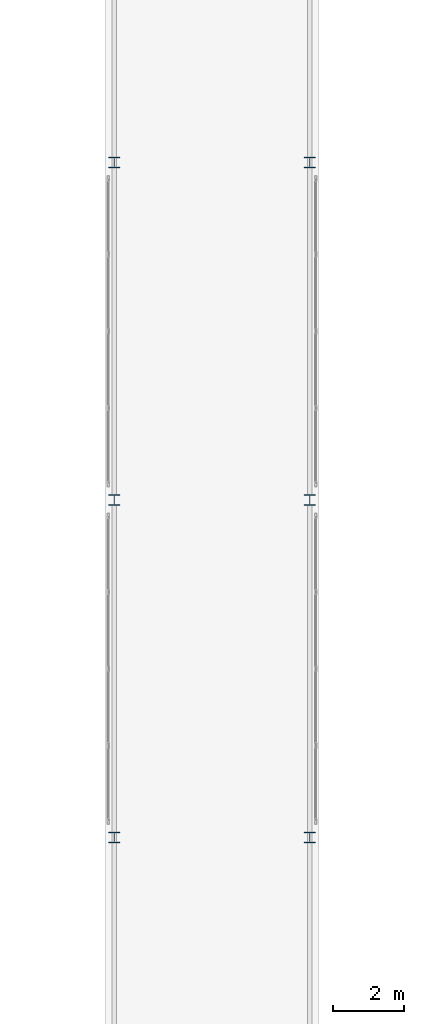
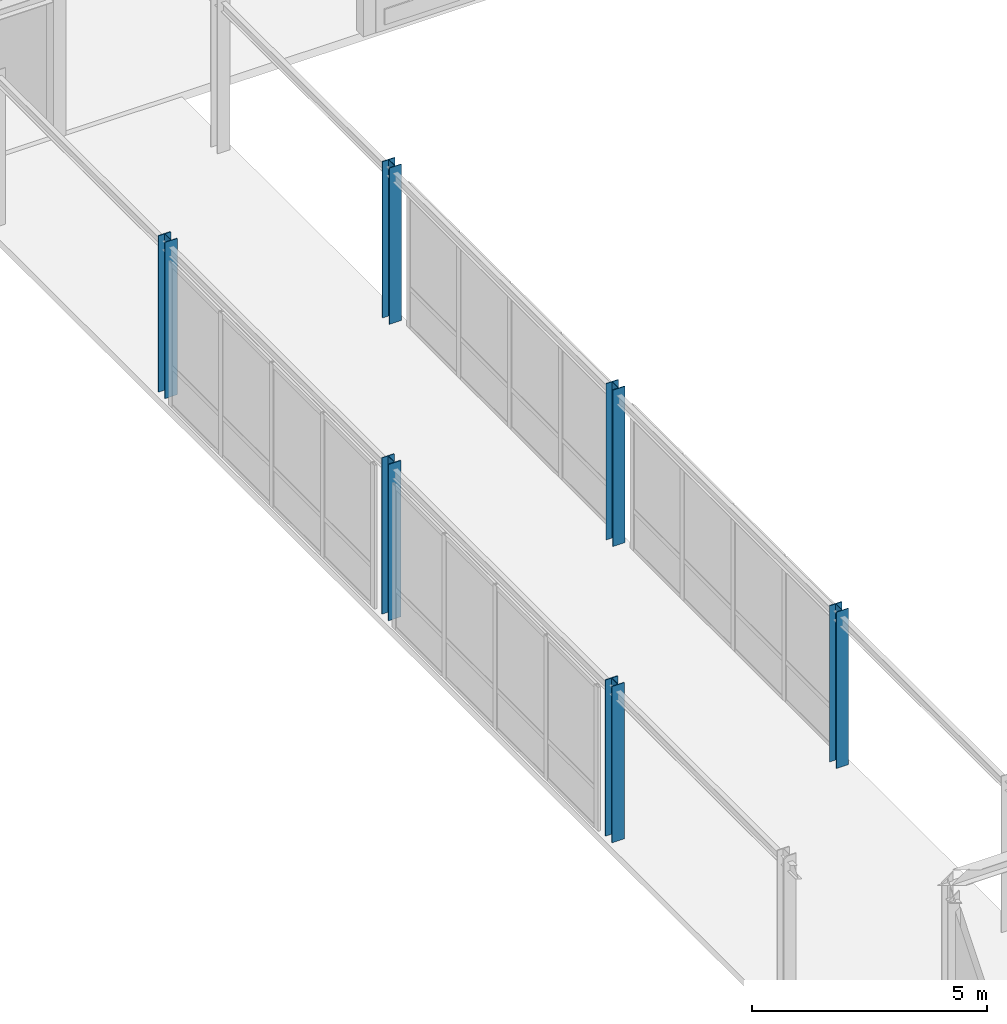
# One storey, part 4 of 165: 6 columns.
"""IFC4 building model written with IfcOpenShell, lengths in metres."""

from ifc_helpers import new_model, si_unit, direction, frame, origin, origin_2d, place, context, subcontext, project, spatial, i_section, extrude, material, material_profile, profile_set, type_object, element, save


model = new_model("IFC4")

# Units and contexts
model_context = context("Model", 3, precision=1e-05, world=origin(), true_north=direction((0.0, 1.0)))
body_context = subcontext(model_context, "Body", "Model", "MODEL_VIEW")
ifc_project = project(units=[si_unit("LENGTHUNIT", "METRE"), si_unit("AREAUNIT", "SQUARE_METRE"), si_unit("VOLUMEUNIT", "CUBIC_METRE"), si_unit("PLANEANGLEUNIT", "RADIAN"), si_unit("MASSUNIT", "GRAM", prefix="KILO")], contexts=[model_context])

# Site, building, storey
site_placement = place(None, origin())
site = spatial("IfcSite", under=ifc_project, at=site_placement, CompositionType="ELEMENT")
building_placement = place(site_placement, origin())
building = spatial("IfcBuilding", under=site, at=building_placement, Name="Montecoro Central Library", CompositionType="ELEMENT")
storey_placement = place(building_placement, frame((0.0, 0.0, 5.10009765625)))
storey = spatial("IfcBuildingStorey", under=building, at=storey_placement, Name="L01", CompositionType="ELEMENT", Elevation=5.10009765625)

# Columns
ifc_material = material(Name="Steel S355", Category="steel")
ifc_material_profile = material_profile(ifc_material, i_section(OverallWidth=0.300048828125, OverallDepth=0.300048828125, WebThickness=0.010986328125, FlangeThickness=0.01904296875, at=origin_2d()), Name="HEB 300")
ifc_profile_set = profile_set([ifc_material_profile], Name="Steel S355")
column_type = type_object("IfcColumnType", Name="COL-HEB300", PredefinedType="COLUMN", material=ifc_profile_set)
for number, where, z_axis, x_axis, name in (
    (1, (25.050048828125, 44.89990234375, 0.0), (0.0, 0.0, 1.0), (1.0, 0.0, 0.0), "BR-W-L01-COL-250-449"),
    (2, (30.550048828125, 44.89990234375, 0.0), (0.0, 0.0, 1.0), (1.0, 0.0, 0.0), "BR-W-L01-COL-305-449"),
    (3, (25.050048828125, 54.39990234375, 0.0), (0.0, 0.0, 1.0), (1.0, 0.0, 0.0), "BR-W-L01-COL-250-544"),
    (4, (30.550048828125, 54.39990234375, 0.0), (0.0, 0.0, 1.0), (1.0, 0.0, 0.0), "BR-W-L01-COL-305-544"),
    (5, (25.050048828125, 63.89990234375, 0.0), (0.0, 0.0, 1.0), (1.0, 0.0, 0.0), "BR-W-L01-COL-250-639"),
    (6, (30.550048828125, 63.89990234375, 0.0), (0.0, 0.0, 1.0), (1.0, 0.0, 0.0), "BR-W-L01-COL-305-639"),
):
    element("IfcColumn", number, at=place(storey_placement, frame(where, z_axis=z_axis, x_axis=x_axis)), inside=storey, type_object=column_type, Name=name, PredefinedType="COLUMN", context=body_context, shape_type="SweptSolid", body=[
        extrude(i_section(OverallWidth=0.300048828125, OverallDepth=0.300048828125, WebThickness=0.010986328125, FlangeThickness=0.01904296875, at=origin_2d()), origin(), (0.0, 0.0, 1.0), 4.054931640625),
    ])

save(model, "model.ifc")
